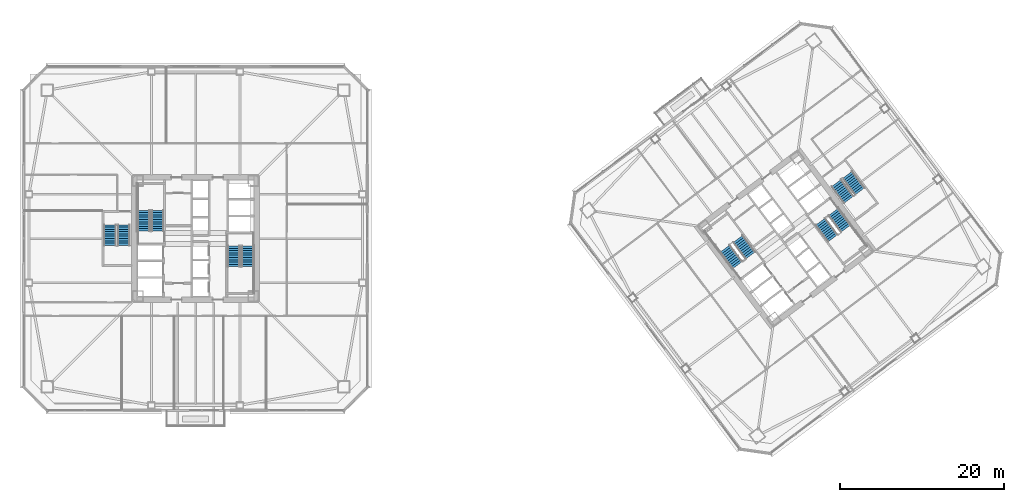
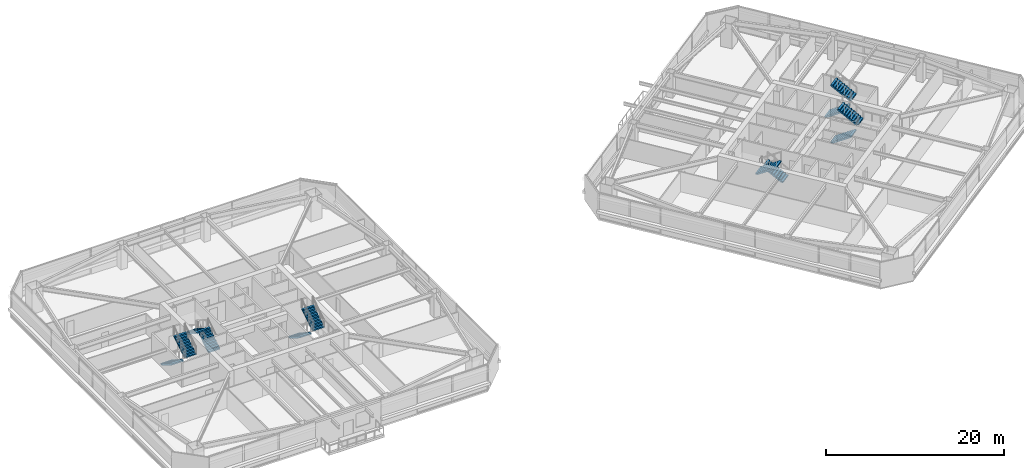
# One storey, part 37 of 44: 12 stair flights, 6 elements without a shape of their own.
"""IFC4 building model written with IfcOpenShell, lengths in metres."""

from ifc_helpers import new_model, si_unit, direction, frame, origin, place, context, subcontext, project, spatial, polyline, outline, extrude, material, type_object, element, aggregate, save


model = new_model("IFC4")

# Units and contexts
model_context = context("Model", 3, precision=1e-05, world=origin(), true_north=direction((0.0, 1.0)))
body_context = subcontext(model_context, "Body", "Model", "MODEL_VIEW")
ifc_project = project(units=[si_unit("LENGTHUNIT", "METRE"), si_unit("AREAUNIT", "SQUARE_METRE"), si_unit("VOLUMEUNIT", "CUBIC_METRE"), si_unit("PLANEANGLEUNIT", "RADIAN"), si_unit("MASSUNIT", "GRAM", prefix="KILO")], contexts=[model_context])

# Site, building, storey
site_placement = place(None, origin())
site = spatial("IfcSite", under=ifc_project, at=site_placement, CompositionType="ELEMENT")
building_placement = place(site_placement, origin())
building = spatial("IfcBuilding", under=site, at=building_placement, Name="Tashvorn Skyway Center", CompositionType="ELEMENT")
storey_placement = place(building_placement, frame((0.0, 0.0, 92.050048828125)))
storey = spatial("IfcBuildingStorey", under=building, at=storey_placement, Name="L24", CompositionType="ELEMENT", Elevation=92.050048828125)

# Stair, stair flights
ifc_material = material(Name="Concrete C40/50", Category="concrete")
stair_type = type_object("IfcStairType", Name="STAIR-CORE-1500", PredefinedType="HALF_TURN_STAIR", material=ifc_material)
stair_1_placement = place(storey_placement, origin())
stair_1 = element("IfcStair", 1, at=stair_1_placement, inside=storey, type_object=stair_type, Name="L24 Tower 1 Exit Stair 1", PredefinedType="HALF_TURN_STAIR")
stair_flight_type = type_object("IfcStairFlightType", Name="SFLIGHT-1500", PredefinedType="STRAIGHT", material=ifc_material)
stair_flight_1_placement = place(storey_placement, frame((37.35009765625, 32.919921875, 0.0), z_axis=(0.0, 0.0, 1.0), x_axis=(0.0, 1.0, 0.0)))
stair_flight_1 = element("IfcStairFlight", 2, at=stair_flight_1_placement, type_object=stair_flight_type, Name="ST-T1-1 flight 1", NumberOfRisers=10, NumberOfTreads=9, PredefinedType="STRAIGHT", RiserHeight=0.1775, TreadLength=0.28, context=body_context, shape_type="SweptSolid", body=[
    extrude(outline(polyline([(0.0, 0.0), (0.0, 0.177490234375), (0.280029296875, 0.177490234375), (0.280029296875, 0.35498046875), (0.56005859375, 0.35498046875), (0.56005859375, 0.532470703125), (0.840087890625, 0.532470703125), (0.840087890625, 0.7099609375), (1.1201171875, 0.7099609375), (1.1201171875, 0.887451171875), (1.39990234375, 0.887451171875), (1.39990234375, 1.06494140625), (1.679931640625, 1.06494140625), (1.679931640625, 1.242431640625), (1.9599609375, 1.242431640625), (1.9599609375, 1.419921875), (2.239990234375, 1.419921875), (2.239990234375, 1.597412109375), (2.52001953125, 1.597412109375), (2.52001953125, 1.77490234375), (2.52001953125, 1.419921875), (0.280029296875, 0.0), (0.0, 0.0)])), frame((0.0, 0.75, 0.0), z_axis=(0.0, -1.0, 0.0), x_axis=(1.0, 0.0, 0.0)), (0.0, 0.0, 1.0), 1.5),
])
stair_flight_2_placement = place(storey_placement, frame((35.64990234375, 35.43994140625, 1.77490234375), z_axis=(0.0, 0.0, 1.0), x_axis=(0.0, -1.0, 0.0)))
stair_flight_2 = element("IfcStairFlight", 3, at=stair_flight_2_placement, type_object=stair_flight_type, Name="ST-T1-1 flight 2", NumberOfRisers=10, NumberOfTreads=9, PredefinedType="STRAIGHT", RiserHeight=0.1775, TreadLength=0.28, context=body_context, shape_type="SweptSolid", body=[
    extrude(outline(polyline([(0.0, 0.0), (0.0, 0.177490234375), (0.280029296875, 0.177490234375), (0.280029296875, 0.35498046875), (0.56005859375, 0.35498046875), (0.56005859375, 0.532470703125), (0.840087890625, 0.532470703125), (0.840087890625, 0.7099609375), (1.1201171875, 0.7099609375), (1.1201171875, 0.887451171875), (1.39990234375, 0.887451171875), (1.39990234375, 1.06494140625), (1.679931640625, 1.06494140625), (1.679931640625, 1.242431640625), (1.9599609375, 1.242431640625), (1.9599609375, 1.419921875), (2.239990234375, 1.419921875), (2.239990234375, 1.597412109375), (2.52001953125, 1.597412109375), (2.52001953125, 1.77490234375), (2.52001953125, 1.419921875), (0.280029296875, 0.0), (0.0, 0.0)])), frame((0.0, 0.75, 0.0), z_axis=(0.0, -1.0, 0.0), x_axis=(1.0, 0.0, 0.0)), (0.0, 0.0, 1.0), 1.5),
])
aggregate(stair_1, [stair_flight_1, stair_flight_2])

stair_2_placement = place(storey_placement, origin())
stair_2 = element("IfcStair", 4, at=stair_2_placement, inside=storey, type_object=stair_type, Name="L24 Tower 1 Exit Stair 2", PredefinedType="HALF_TURN_STAIR")
stair_flight_3_placement = place(storey_placement, frame((46.64990234375, 31.080078125, 0.0), z_axis=(0.0, 0.0, 1.0), x_axis=(0.0, -1.0, 0.0)))
stair_flight_3 = element("IfcStairFlight", 5, at=stair_flight_3_placement, type_object=stair_flight_type, Name="ST-T1-2 flight 1", NumberOfRisers=10, NumberOfTreads=9, PredefinedType="STRAIGHT", RiserHeight=0.1775, TreadLength=0.28, context=body_context, shape_type="SweptSolid", body=[
    extrude(outline(polyline([(0.0, 0.0), (0.0, 0.177490234375), (0.280029296875, 0.177490234375), (0.280029296875, 0.35498046875), (0.56005859375, 0.35498046875), (0.56005859375, 0.532470703125), (0.840087890625, 0.532470703125), (0.840087890625, 0.7099609375), (1.1201171875, 0.7099609375), (1.1201171875, 0.887451171875), (1.39990234375, 0.887451171875), (1.39990234375, 1.06494140625), (1.679931640625, 1.06494140625), (1.679931640625, 1.242431640625), (1.9599609375, 1.242431640625), (1.9599609375, 1.419921875), (2.239990234375, 1.419921875), (2.239990234375, 1.597412109375), (2.52001953125, 1.597412109375), (2.52001953125, 1.77490234375), (2.52001953125, 1.419921875), (0.280029296875, 0.0), (0.0, 0.0)])), frame((0.0, 0.75, 0.0), z_axis=(0.0, -1.0, 0.0), x_axis=(1.0, 0.0, 0.0)), (0.0, 0.0, 1.0), 1.5),
])
stair_flight_4_placement = place(storey_placement, frame((48.35009765625, 28.56005859375, 1.77490234375), z_axis=(0.0, 0.0, 1.0), x_axis=(0.0, 1.0, 0.0)))
stair_flight_4 = element("IfcStairFlight", 6, at=stair_flight_4_placement, type_object=stair_flight_type, Name="ST-T1-2 flight 2", NumberOfRisers=10, NumberOfTreads=9, PredefinedType="STRAIGHT", RiserHeight=0.1775, TreadLength=0.28, context=body_context, shape_type="SweptSolid", body=[
    extrude(outline(polyline([(0.0, 0.0), (0.0, 0.177490234375), (0.280029296875, 0.177490234375), (0.280029296875, 0.35498046875), (0.56005859375, 0.35498046875), (0.56005859375, 0.532470703125), (0.840087890625, 0.532470703125), (0.840087890625, 0.7099609375), (1.1201171875, 0.7099609375), (1.1201171875, 0.887451171875), (1.39990234375, 0.887451171875), (1.39990234375, 1.06494140625), (1.679931640625, 1.06494140625), (1.679931640625, 1.242431640625), (1.9599609375, 1.242431640625), (1.9599609375, 1.419921875), (2.239990234375, 1.419921875), (2.239990234375, 1.597412109375), (2.52001953125, 1.597412109375), (2.52001953125, 1.77490234375), (2.52001953125, 1.419921875), (0.280029296875, 0.0), (0.0, 0.0)])), frame((0.0, 0.75, 0.0), z_axis=(0.0, -1.0, 0.0), x_axis=(1.0, 0.0, 0.0)), (0.0, 0.0, 1.0), 1.5),
])
aggregate(stair_2, [stair_flight_3, stair_flight_4])

stair_3_placement = place(storey_placement, origin())
stair_3 = element("IfcStair", 7, at=stair_3_placement, inside=storey, type_object=stair_type, Name="L24 Tower 2 Exit Stair 1", PredefinedType="HALF_TURN_STAIR")
stair_flight_5_placement = place(storey_placement, frame((109.72802734375, 29.946044921875, 0.0), z_axis=(0.0, 0.0, 1.0), x_axis=(-0.600000004945, 0.799999996291, 0.0)))
stair_flight_5 = element("IfcStairFlight", 8, at=stair_flight_5_placement, type_object=stair_flight_type, Name="ST-T2-1 flight 1", NumberOfRisers=10, NumberOfTreads=9, PredefinedType="STRAIGHT", RiserHeight=0.1775, TreadLength=0.28, context=body_context, shape_type="SweptSolid", body=[
    extrude(outline(polyline([(0.0, 0.0), (0.0, 0.177490234375), (0.280029296875, 0.177490234375), (0.280029296875, 0.35498046875), (0.56005859375, 0.35498046875), (0.56005859375, 0.532470703125), (0.840087890625, 0.532470703125), (0.840087890625, 0.7099609375), (1.1201171875, 0.7099609375), (1.1201171875, 0.887451171875), (1.39990234375, 0.887451171875), (1.39990234375, 1.06494140625), (1.679931640625, 1.06494140625), (1.679931640625, 1.242431640625), (1.9599609375, 1.242431640625), (1.9599609375, 1.419921875), (2.239990234375, 1.419921875), (2.239990234375, 1.597412109375), (2.52001953125, 1.597412109375), (2.52001953125, 1.77490234375), (2.52001953125, 1.419921875), (0.280029296875, 0.0), (0.0, 0.0)])), frame((0.0, 0.75, 0.0), z_axis=(0.0, -1.0, 0.0), x_axis=(1.0, 0.0, 0.0)), (0.0, 0.0, 1.0), 1.5),
])
stair_flight_6_placement = place(storey_placement, frame((106.632080078125, 30.77392578125, 1.77490234375), z_axis=(0.0, 0.0, 1.0), x_axis=(0.600000004945, -0.799999996291, 0.0)))
stair_flight_6 = element("IfcStairFlight", 9, at=stair_flight_6_placement, type_object=stair_flight_type, Name="ST-T2-1 flight 2", NumberOfRisers=10, NumberOfTreads=9, PredefinedType="STRAIGHT", RiserHeight=0.1775, TreadLength=0.28, context=body_context, shape_type="SweptSolid", body=[
    extrude(outline(polyline([(0.0, 0.0), (0.0, 0.177490234375), (0.280029296875, 0.177490234375), (0.280029296875, 0.35498046875), (0.56005859375, 0.35498046875), (0.56005859375, 0.532470703125), (0.840087890625, 0.532470703125), (0.840087890625, 0.7099609375), (1.1201171875, 0.7099609375), (1.1201171875, 0.887451171875), (1.39990234375, 0.887451171875), (1.39990234375, 1.06494140625), (1.679931640625, 1.06494140625), (1.679931640625, 1.242431640625), (1.9599609375, 1.242431640625), (1.9599609375, 1.419921875), (2.239990234375, 1.419921875), (2.239990234375, 1.597412109375), (2.52001953125, 1.597412109375), (2.52001953125, 1.77490234375), (2.52001953125, 1.419921875), (0.280029296875, 0.0), (0.0, 0.0)])), frame((0.0, 0.75, 0.0), z_axis=(0.0, -1.0, 0.0), x_axis=(1.0, 0.0, 0.0)), (0.0, 0.0, 1.0), 1.5),
])
aggregate(stair_3, [stair_flight_5, stair_flight_6])

stair_4_placement = place(storey_placement, origin())
stair_4 = element("IfcStair", 10, at=stair_4_placement, inside=storey, type_object=stair_type, Name="L24 Tower 2 Exit Stair 2", PredefinedType="HALF_TURN_STAIR")
stair_flight_7_placement = place(storey_placement, frame((118.27197265625, 34.053955078125, 0.0), z_axis=(0.0, 0.0, 1.0), x_axis=(0.600000004945, -0.799999996291, 0.0)))
stair_flight_7 = element("IfcStairFlight", 11, at=stair_flight_7_placement, type_object=stair_flight_type, Name="ST-T2-2 flight 1", NumberOfRisers=10, NumberOfTreads=9, PredefinedType="STRAIGHT", RiserHeight=0.1775, TreadLength=0.28, context=body_context, shape_type="SweptSolid", body=[
    extrude(outline(polyline([(0.0, 0.0), (0.0, 0.177490234375), (0.280029296875, 0.177490234375), (0.280029296875, 0.35498046875), (0.56005859375, 0.35498046875), (0.56005859375, 0.532470703125), (0.840087890625, 0.532470703125), (0.840087890625, 0.7099609375), (1.1201171875, 0.7099609375), (1.1201171875, 0.887451171875), (1.39990234375, 0.887451171875), (1.39990234375, 1.06494140625), (1.679931640625, 1.06494140625), (1.679931640625, 1.242431640625), (1.9599609375, 1.242431640625), (1.9599609375, 1.419921875), (2.239990234375, 1.419921875), (2.239990234375, 1.597412109375), (2.52001953125, 1.597412109375), (2.52001953125, 1.77490234375), (2.52001953125, 1.419921875), (0.280029296875, 0.0), (0.0, 0.0)])), frame((0.0, 0.75, 0.0), z_axis=(0.0, -1.0, 0.0), x_axis=(1.0, 0.0, 0.0)), (0.0, 0.0, 1.0), 1.5),
])
stair_flight_8_placement = place(storey_placement, frame((121.367919921875, 33.22607421875, 1.77490234375), z_axis=(0.0, 0.0, 1.0), x_axis=(-0.600000004945, 0.799999996291, 0.0)))
stair_flight_8 = element("IfcStairFlight", 12, at=stair_flight_8_placement, type_object=stair_flight_type, Name="ST-T2-2 flight 2", NumberOfRisers=10, NumberOfTreads=9, PredefinedType="STRAIGHT", RiserHeight=0.1775, TreadLength=0.28, context=body_context, shape_type="SweptSolid", body=[
    extrude(outline(polyline([(0.0, 0.0), (0.0, 0.177490234375), (0.280029296875, 0.177490234375), (0.280029296875, 0.35498046875), (0.56005859375, 0.35498046875), (0.56005859375, 0.532470703125), (0.840087890625, 0.532470703125), (0.840087890625, 0.7099609375), (1.1201171875, 0.7099609375), (1.1201171875, 0.887451171875), (1.39990234375, 0.887451171875), (1.39990234375, 1.06494140625), (1.679931640625, 1.06494140625), (1.679931640625, 1.242431640625), (1.9599609375, 1.242431640625), (1.9599609375, 1.419921875), (2.239990234375, 1.419921875), (2.239990234375, 1.597412109375), (2.52001953125, 1.597412109375), (2.52001953125, 1.77490234375), (2.52001953125, 1.419921875), (0.280029296875, 0.0), (0.0, 0.0)])), frame((0.0, 0.75, 0.0), z_axis=(0.0, -1.0, 0.0), x_axis=(1.0, 0.0, 0.0)), (0.0, 0.0, 1.0), 1.5),
])
aggregate(stair_4, [stair_flight_7, stair_flight_8])

stair_5_placement = place(storey_placement, origin())
stair_5 = element("IfcStair", 13, at=stair_5_placement, inside=storey, type_object=stair_type, Name="L24 Tower 1 Exit Stair 3", PredefinedType="HALF_TURN_STAIR")
stair_flight_9_placement = place(storey_placement, frame((31.550048828125, 33.679931640625, 0.0), z_axis=(0.0, 0.0, 1.0), x_axis=(0.0, -1.0, 0.0)))
stair_flight_9 = element("IfcStairFlight", 14, at=stair_flight_9_placement, type_object=stair_flight_type, Name="ST-T1-3 flight 1", NumberOfRisers=10, NumberOfTreads=9, PredefinedType="STRAIGHT", RiserHeight=0.1775, TreadLength=0.28, context=body_context, shape_type="SweptSolid", body=[
    extrude(outline(polyline([(0.0, 0.0), (0.0, 0.177490234375), (0.280029296875, 0.177490234375), (0.280029296875, 0.35498046875), (0.56005859375, 0.35498046875), (0.56005859375, 0.532470703125), (0.840087890625, 0.532470703125), (0.840087890625, 0.7099609375), (1.1201171875, 0.7099609375), (1.1201171875, 0.887451171875), (1.39990234375, 0.887451171875), (1.39990234375, 1.06494140625), (1.679931640625, 1.06494140625), (1.679931640625, 1.242431640625), (1.9599609375, 1.242431640625), (1.9599609375, 1.419921875), (2.239990234375, 1.419921875), (2.239990234375, 1.597412109375), (2.52001953125, 1.597412109375), (2.52001953125, 1.77490234375), (2.52001953125, 1.419921875), (0.280029296875, 0.0), (0.0, 0.0)])), frame((0.0, 0.75, 0.0), z_axis=(0.0, -1.0, 0.0), x_axis=(1.0, 0.0, 0.0)), (0.0, 0.0, 1.0), 1.5),
])
stair_flight_10_placement = place(storey_placement, frame((33.25, 31.159912109375, 1.77490234375), z_axis=(0.0, 0.0, 1.0), x_axis=(0.0, 1.0, 0.0)))
stair_flight_10 = element("IfcStairFlight", 15, at=stair_flight_10_placement, type_object=stair_flight_type, Name="ST-T1-3 flight 2", NumberOfRisers=10, NumberOfTreads=9, PredefinedType="STRAIGHT", RiserHeight=0.1775, TreadLength=0.28, context=body_context, shape_type="SweptSolid", body=[
    extrude(outline(polyline([(0.0, 0.0), (0.0, 0.177490234375), (0.280029296875, 0.177490234375), (0.280029296875, 0.35498046875), (0.56005859375, 0.35498046875), (0.56005859375, 0.532470703125), (0.840087890625, 0.532470703125), (0.840087890625, 0.7099609375), (1.1201171875, 0.7099609375), (1.1201171875, 0.887451171875), (1.39990234375, 0.887451171875), (1.39990234375, 1.06494140625), (1.679931640625, 1.06494140625), (1.679931640625, 1.242431640625), (1.9599609375, 1.242431640625), (1.9599609375, 1.419921875), (2.239990234375, 1.419921875), (2.239990234375, 1.597412109375), (2.52001953125, 1.597412109375), (2.52001953125, 1.77490234375), (2.52001953125, 1.419921875), (0.280029296875, 0.0), (0.0, 0.0)])), frame((0.0, 0.75, 0.0), z_axis=(0.0, -1.0, 0.0), x_axis=(1.0, 0.0, 0.0)), (0.0, 0.0, 1.0), 1.5),
])
aggregate(stair_5, [stair_flight_9, stair_flight_10])

stair_6_placement = place(storey_placement, origin())
stair_6 = element("IfcStair", 16, at=stair_6_placement, inside=storey, type_object=stair_type, Name="L24 Tower 2 Exit Stair 3", PredefinedType="HALF_TURN_STAIR")
stair_flight_11_placement = place(storey_placement, frame((120.216064453125, 38.761962890625, 0.0), z_axis=(0.0, 0.0, 1.0), x_axis=(0.600000004945, -0.799999996291, 0.0)))
stair_flight_11 = element("IfcStairFlight", 17, at=stair_flight_11_placement, type_object=stair_flight_type, Name="ST-T2-3 flight 1", NumberOfRisers=10, NumberOfTreads=9, PredefinedType="STRAIGHT", RiserHeight=0.1775, TreadLength=0.28, context=body_context, shape_type="SweptSolid", body=[
    extrude(outline(polyline([(0.0, 0.0), (0.0, 0.177490234375), (0.280029296875, 0.177490234375), (0.280029296875, 0.35498046875), (0.56005859375, 0.35498046875), (0.56005859375, 0.532470703125), (0.840087890625, 0.532470703125), (0.840087890625, 0.7099609375), (1.1201171875, 0.7099609375), (1.1201171875, 0.887451171875), (1.39990234375, 0.887451171875), (1.39990234375, 1.06494140625), (1.679931640625, 1.06494140625), (1.679931640625, 1.242431640625), (1.9599609375, 1.242431640625), (1.9599609375, 1.419921875), (2.239990234375, 1.419921875), (2.239990234375, 1.597412109375), (2.52001953125, 1.597412109375), (2.52001953125, 1.77490234375), (2.52001953125, 1.419921875), (0.280029296875, 0.0), (0.0, 0.0)])), frame((0.0, 0.75, 0.0), z_axis=(0.0, -1.0, 0.0), x_axis=(1.0, 0.0, 0.0)), (0.0, 0.0, 1.0), 1.5),
])
stair_flight_12_placement = place(storey_placement, frame((123.087890625, 37.76611328125, 1.77490234375), z_axis=(0.0, 0.0, 1.0), x_axis=(-0.600000004945, 0.799999996291, 0.0)))
stair_flight_12 = element("IfcStairFlight", 18, at=stair_flight_12_placement, type_object=stair_flight_type, Name="ST-T2-3 flight 2", NumberOfRisers=10, NumberOfTreads=9, PredefinedType="STRAIGHT", RiserHeight=0.1775, TreadLength=0.28, context=body_context, shape_type="SweptSolid", body=[
    extrude(outline(polyline([(0.0, 0.0), (0.0, 0.177490234375), (0.280029296875, 0.177490234375), (0.280029296875, 0.35498046875), (0.56005859375, 0.35498046875), (0.56005859375, 0.532470703125), (0.840087890625, 0.532470703125), (0.840087890625, 0.7099609375), (1.1201171875, 0.7099609375), (1.1201171875, 0.887451171875), (1.39990234375, 0.887451171875), (1.39990234375, 1.06494140625), (1.679931640625, 1.06494140625), (1.679931640625, 1.242431640625), (1.9599609375, 1.242431640625), (1.9599609375, 1.419921875), (2.239990234375, 1.419921875), (2.239990234375, 1.597412109375), (2.52001953125, 1.597412109375), (2.52001953125, 1.77490234375), (2.52001953125, 1.419921875), (0.280029296875, 0.0), (0.0, 0.0)])), frame((0.0, 0.75, 0.0), z_axis=(0.0, -1.0, 0.0), x_axis=(1.0, 0.0, 0.0)), (0.0, 0.0, 1.0), 1.5),
])
aggregate(stair_6, [stair_flight_11, stair_flight_12])

save(model, "model.ifc")
